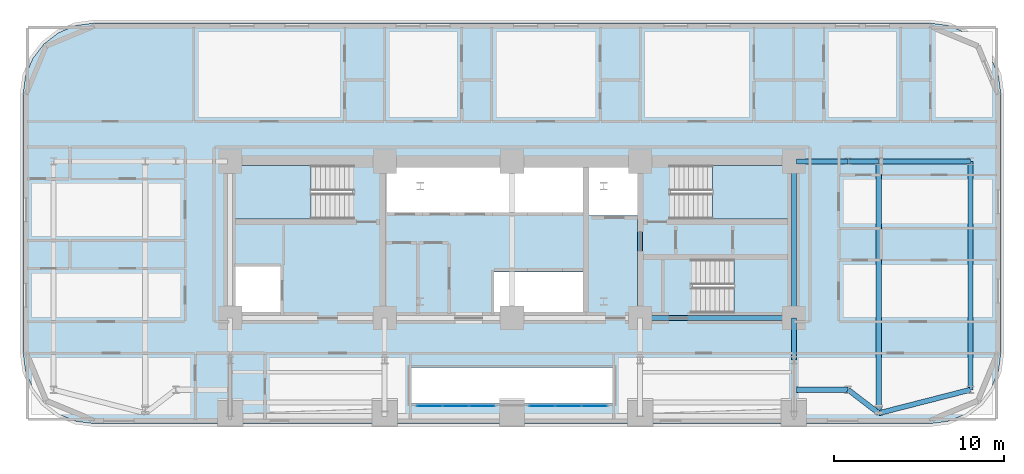
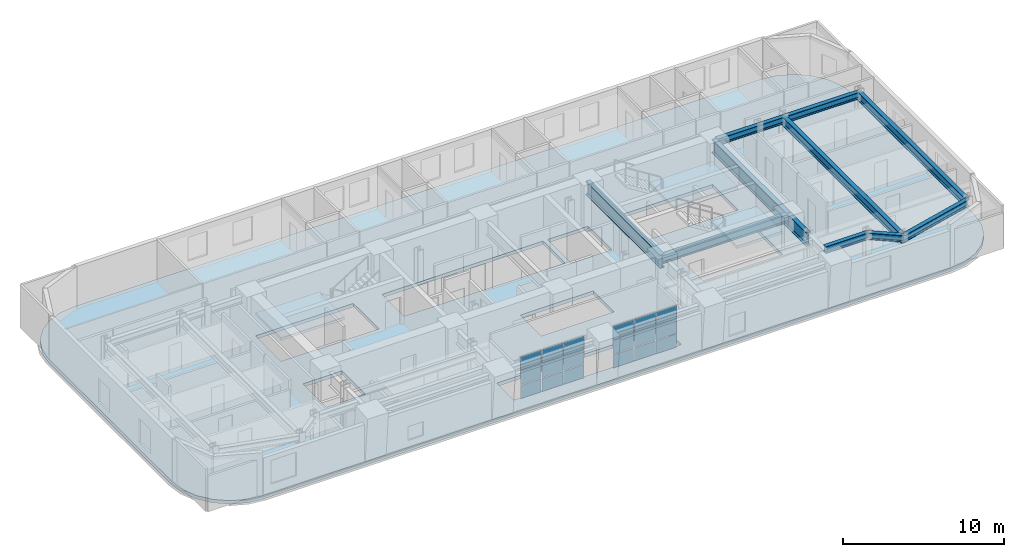
# One storey, part 5 of 15: 18 plates, 12 beams, 4 slabs, 5 elements without a shape of their own.
"""IFC4 building model written with IfcOpenShell, lengths in metres."""

from ifc_helpers import new_model, si_unit, direction, frame, origin, origin_2d, place, context, subcontext, project, spatial, polyline, rectangle, i_section, outline, extrude, material, layer, layer_set, material_profile, profile_set, type_object, element, aggregate, save


model = new_model("IFC4")

# Units and contexts
model_context = context("Model", 3, precision=1e-05, world=origin(), true_north=direction((0.0, 1.0)))
body_context = subcontext(model_context, "Body", "Model", "MODEL_VIEW")
ifc_project = project(units=[si_unit("LENGTHUNIT", "METRE"), si_unit("AREAUNIT", "SQUARE_METRE"), si_unit("VOLUMEUNIT", "CUBIC_METRE"), si_unit("PLANEANGLEUNIT", "RADIAN"), si_unit("MASSUNIT", "GRAM", prefix="KILO")], contexts=[model_context])

# Site, building, storey
site_placement = place(None, origin())
site = spatial("IfcSite", under=ifc_project, at=site_placement, CompositionType="ELEMENT")
building_placement = place(site_placement, origin())
building = spatial("IfcBuilding", under=site, at=building_placement, Name="Zarnavel Station Tower", CompositionType="ELEMENT")
storey_placement = place(building_placement, frame((0.0, 0.0, 43.0)))
storey = spatial("IfcBuildingStorey", under=building, at=storey_placement, Name="L11", CompositionType="ELEMENT", Elevation=43.0)

# Beams
ifc_material_1 = material(Name="Steel S355J2", Category="steel")
ifc_material_profile_1 = material_profile(ifc_material_1, i_section(OverallWidth=0.300048828125, OverallDepth=0.5, WebThickness=0.014404296875, FlangeThickness=0.028076171875, FilletRadius=0.027099609375, at=origin_2d()), Name="HEB500")
ifc_profile_set_1 = profile_set([ifc_material_profile_1], Name="Steel S355J2")
beam_type_1 = type_object("IfcBeamType", Name="FG_HEB500", PredefinedType="USERDEFINED", material=ifc_profile_set_1)
for number, where, z_axis, x_axis, name in (
    (1, (45.544921875, 23.60009765625, 2.989990234375), (1.0, 0.0, 0.0), (0.0, 1.0, 0.0), "L11 East Wing South Tie 1"),
    (2, (45.544921875, 37.050048828125, 2.989990234375), (1.0, 0.0, 0.0), (0.0, 1.0, 0.0), "L11 East Wing North Tie 1"),
):
    element("IfcBeam", number, at=place(storey_placement, frame(where, z_axis=z_axis, x_axis=x_axis)), inside=storey, type_object=beam_type_1, Name=name, ObjectType="GIRDER", PredefinedType="USERDEFINED", context=body_context, shape_type="SweptSolid", body=[
        extrude(i_section(OverallWidth=0.300048828125, OverallDepth=0.5, WebThickness=0.014404296875, FlangeThickness=0.028076171875, FilletRadius=0.027099609375, at=origin_2d()), origin(), (0.0, 0.0, 1.0), 3.05517578125),
    ])
beam_1_placement = place(storey_placement, frame((48.60009765625, 23.60009765625, 2.989990234375), z_axis=(0.793183624055, -0.608982543699, 0.0), x_axis=(0.608982543699, 0.793183624055, 0.0)))
element("IfcBeam", 3, at=beam_1_placement, inside=storey, type_object=beam_type_1, Name="L11 East Wing South Tie 2", ObjectType="GIRDER", PredefinedType="USERDEFINED", context=body_context, shape_type="SweptSolid", body=[
    extrude(i_section(OverallWidth=0.300048828125, OverallDepth=0.5, WebThickness=0.014404296875, FlangeThickness=0.028076171875, FilletRadius=0.027099609375, at=origin_2d()), origin(), (0.0, 0.0, 1.0), 2.26904296875),
])
beam_2_placement = place(storey_placement, frame((48.60009765625, 37.050048828125, 2.989990234375), z_axis=(1.0, 0.0, 0.0), x_axis=(0.0, 1.0, 0.0)))
element("IfcBeam", 4, at=beam_2_placement, inside=storey, type_object=beam_type_1, Name="L11 East Wing North Tie 2", ObjectType="GIRDER", PredefinedType="USERDEFINED", context=body_context, shape_type="SweptSolid", body=[
    extrude(i_section(OverallWidth=0.300048828125, OverallDepth=0.5, WebThickness=0.014404296875, FlangeThickness=0.028076171875, FilletRadius=0.027099609375, at=origin_2d()), origin(), (0.0, 0.0, 1.0), 1.7998046875),
])
beam_3_placement = place(storey_placement, frame((50.39990234375, 22.21826171875, 2.989990234375), z_axis=(0.968785338216, 0.247901126376, 0.0), x_axis=(-0.247901126376, 0.968785338216, 0.0)))
element("IfcBeam", 5, at=beam_3_placement, inside=storey, type_object=beam_type_1, Name="L11 East Wing South Tie 3", ObjectType="GIRDER", PredefinedType="USERDEFINED", context=body_context, shape_type="SweptSolid", body=[
    extrude(i_section(OverallWidth=0.300048828125, OverallDepth=0.5, WebThickness=0.014404296875, FlangeThickness=0.028076171875, FilletRadius=0.027099609375, at=origin_2d()), origin(), (0.0, 0.0, 1.0), 5.57421875),
])
beam_4_placement = place(storey_placement, frame((50.39990234375, 37.050048828125, 2.989990234375), z_axis=(1.0, 0.0, 0.0), x_axis=(0.0, 1.0, 0.0)))
element("IfcBeam", 6, at=beam_4_placement, inside=storey, type_object=beam_type_1, Name="L11 East Wing North Tie 3", ObjectType="GIRDER", PredefinedType="USERDEFINED", context=body_context, shape_type="SweptSolid", body=[
    extrude(i_section(OverallWidth=0.300048828125, OverallDepth=0.5, WebThickness=0.014404296875, FlangeThickness=0.028076171875, FilletRadius=0.027099609375, at=origin_2d()), origin(), (0.0, 0.0, 1.0), 5.400146484375),
])
ifc_material_2 = material(Name="Steel S355J2", Category="steel")
ifc_material_profile_2 = material_profile(ifc_material_2, i_section(OverallWidth=0.300048828125, OverallDepth=0.60009765625, WebThickness=0.015380859375, FlangeThickness=0.030029296875, FilletRadius=0.027099609375, at=origin_2d()), Name="HEB600")
ifc_profile_set_2 = profile_set([ifc_material_profile_2], Name="Steel S355J2")
beam_type_2 = type_object("IfcBeamType", Name="FG_HEB600", PredefinedType="USERDEFINED", material=ifc_profile_set_2)
beam_5_placement = place(storey_placement, frame((36.35009765625, 27.820068359375, 2.93994140625), z_axis=(1.0, 0.0, 0.0), x_axis=(0.0, 1.0, 0.0)))
element("IfcBeam", 7, at=beam_5_placement, inside=storey, type_object=beam_type_2, Name="L11 Core Front Coupling Beam 4", ObjectType="GIRDER", PredefinedType="USERDEFINED", context=body_context, shape_type="SweptSolid", body=[
    extrude(i_section(OverallWidth=0.300048828125, OverallDepth=0.60009765625, WebThickness=0.015380859375, FlangeThickness=0.030029296875, FilletRadius=0.027099609375, at=origin_2d()), origin(), (0.0, 0.0, 1.0), 9.0498046875),
])
ifc_material_3 = material(Name="Steel S355J2", Category="steel")
ifc_material_profile_3 = material_profile(ifc_material_3, i_section(OverallWidth=0.300048828125, OverallDepth=0.64990234375, WebThickness=0.01611328125, FlangeThickness=0.031005859375, FilletRadius=0.027099609375, at=origin_2d()), Name="HEB650")
ifc_profile_set_3 = profile_set([ifc_material_profile_3], Name="Steel S355J2")
beam_type_3 = type_object("IfcBeamType", Name="FG_HEB650", PredefinedType="USERDEFINED", material=ifc_profile_set_3)
beam_6_placement = place(storey_placement, frame((50.39990234375, 22.21826171875, 2.9150390625), z_axis=(0.0, 1.0, 0.0), x_axis=(-1.0, 0.0, 0.0)))
element("IfcBeam", 8, at=beam_6_placement, inside=storey, type_object=beam_type_3, Name="L11 Wing NS Girder 3", ObjectType="GIRDER", PredefinedType="USERDEFINED", context=body_context, shape_type="SweptSolid", body=[
    extrude(i_section(OverallWidth=0.300048828125, OverallDepth=0.64990234375, WebThickness=0.01611328125, FlangeThickness=0.031005859375, FilletRadius=0.027099609375, at=origin_2d()), origin(), (0.0, 0.0, 1.0), 14.831787109375),
])
beam_7_placement = place(storey_placement, frame((55.800048828125, 23.60009765625, 2.9150390625), z_axis=(0.0, 1.0, 0.0), x_axis=(-1.0, 0.0, 0.0)))
element("IfcBeam", 9, at=beam_7_placement, inside=storey, type_object=beam_type_3, Name="L11 Wing NS Girder 4", ObjectType="GIRDER", PredefinedType="USERDEFINED", context=body_context, shape_type="SweptSolid", body=[
    extrude(i_section(OverallWidth=0.300048828125, OverallDepth=0.64990234375, WebThickness=0.01611328125, FlangeThickness=0.031005859375, FilletRadius=0.027099609375, at=origin_2d()), origin(), (0.0, 0.0, 1.0), 13.449951171875),
])
ifc_material_4 = material(Name="Steel S460M", Category="steel")
ifc_material_profile_4 = material_profile(ifc_material_4, i_section(OverallWidth=0.302001953125, OverallDepth=1.008056640625, WebThickness=0.02099609375, FlangeThickness=0.0400390625, FilletRadius=0.030029296875, at=origin_2d()), Name="HEM1000")
ifc_profile_set_4 = profile_set([ifc_material_profile_4], Name="Steel S460M")
beam_type_4 = type_object("IfcBeamType", Name="TG_HEM1000", PredefinedType="USERDEFINED", material=ifc_profile_set_4)
for number, where, z_axis, x_axis, name in (
    (10, (36.35009765625, 27.820068359375, 2.736083984375), (0.0, 1.0, 0.0), (-1.0, 0.0, 0.0), "L11 Core Spine Coupling Girder 4"),
    (11, (45.39990234375, 27.820068359375, 2.736083984375), (0.0, 1.0, 0.0), (-1.0, 0.0, 0.0), "L11 Core Spine Coupling Girder 5"),
):
    element("IfcBeam", number, at=place(storey_placement, frame(where, z_axis=z_axis, x_axis=x_axis)), inside=storey, type_object=beam_type_4, Name=name, ObjectType="GIRDER", PredefinedType="USERDEFINED", context=body_context, shape_type="SweptSolid", body=[
        extrude(i_section(OverallWidth=0.302001953125, OverallDepth=1.008056640625, WebThickness=0.02099609375, FlangeThickness=0.0400390625, FilletRadius=0.030029296875, at=origin_2d()), origin(), (0.0, 0.0, 1.0), 9.22998046875),
    ])
beam_8_placement = place(storey_placement, frame((45.39990234375, 25.35009765625, 2.736083984375), z_axis=(0.0, 1.0, 0.0), x_axis=(-1.0, 0.0, 0.0)))
element("IfcBeam", 12, at=beam_8_placement, inside=storey, type_object=beam_type_4, Name="L11 Inner-Zone NS Girder 5", ObjectType="GIRDER", PredefinedType="USERDEFINED", context=body_context, shape_type="SweptSolid", body=[
    extrude(i_section(OverallWidth=0.302001953125, OverallDepth=1.008056640625, WebThickness=0.02099609375, FlangeThickness=0.0400390625, FilletRadius=0.030029296875, at=origin_2d()), origin(), (0.0, 0.0, 1.0), 2.469970703125),
])

# Curtain wall, plates
ifc_material_5 = material(Name="Aluminium Dark Anodised and Solar-Control Glass", Category="aluminium")
ifc_layer_1 = layer(ifc_material_5, 0.179931640625)
ifc_layer_set_1 = layer_set([ifc_layer_1], Name="CWS2")
curtain_wall_type = type_object("IfcCurtainWallType", Name="CWS2", PredefinedType="NOTDEFINED", material=ifc_layer_set_1)
curtain_wall_1_placement = place(storey_placement, origin())
curtain_wall_1 = element("IfcCurtainWall", 13, at=curtain_wall_1_placement, inside=storey, type_object=curtain_wall_type, Name="L11 Curtain Wall CWS2-L11-AS-S1", PredefinedType="NOTDEFINED")
ifc_material_6 = material(Name="Double Low-E Dark Solar-Control Glass", Category="glass")
ifc_layer_2 = layer(ifc_material_6, 0.028076171875)
ifc_layer_set_2 = layer_set([ifc_layer_2], Name="CWS2_PNL")
plate_type = type_object("IfcPlateType", Name="CWS2_PNL", PredefinedType="CURTAIN_PANEL", material=ifc_layer_set_2)
plate_1_placement = place(storey_placement, frame((23.943359375, 22.64990234375, 0.06005859375), z_axis=(0.0, 0.0, 1.0), x_axis=(1.0, 0.0, 0.0)))
plate_1 = element("IfcPlate", 14, at=plate_1_placement, type_object=plate_type, Name="CW2 panel 1.1", PredefinedType="CURTAIN_PANEL", context=body_context, shape_type="SweptSolid", body=[
    extrude(rectangle(XDim=1.466552734375, YDim=0.028076171875, at=origin_2d()), origin(), (0.0, 0.0, 1.0), 0.989990234375),
])
plate_2_placement = place(storey_placement, frame((23.943359375, 22.64990234375, 1.110107421875), z_axis=(0.0, 0.0, 1.0), x_axis=(1.0, 0.0, 0.0)))
plate_2 = element("IfcPlate", 15, at=plate_2_placement, type_object=plate_type, Name="CW2 panel 1.2", PredefinedType="CURTAIN_PANEL", context=body_context, shape_type="SweptSolid", body=[
    extrude(rectangle(XDim=1.466552734375, YDim=0.028076171875, at=origin_2d()), origin(), (0.0, 0.0, 1.0), 1.02001953125),
])
plate_3_placement = place(storey_placement, frame((23.943359375, 22.64990234375, 2.18994140625), z_axis=(0.0, 0.0, 1.0), x_axis=(1.0, 0.0, 0.0)))
plate_3 = element("IfcPlate", 16, at=plate_3_placement, type_object=plate_type, Name="CW2 panel 1.3", PredefinedType="CURTAIN_PANEL", context=body_context, shape_type="SweptSolid", body=[
    extrude(rectangle(XDim=1.466552734375, YDim=0.028076171875, at=origin_2d()), origin(), (0.0, 0.0, 1.0), 0.989990234375),
])
plate_4_placement = place(storey_placement, frame((25.485107421875, 22.64990234375, 0.06005859375), z_axis=(0.0, 0.0, 1.0), x_axis=(1.0, 0.0, 0.0)))
plate_4 = element("IfcPlate", 17, at=plate_4_placement, type_object=plate_type, Name="CW2 panel 2.1", PredefinedType="CURTAIN_PANEL", context=body_context, shape_type="SweptSolid", body=[
    extrude(rectangle(XDim=1.49658203125, YDim=0.028076171875, at=origin_2d()), origin(), (0.0, 0.0, 1.0), 0.989990234375),
])
plate_5_placement = place(storey_placement, frame((25.485107421875, 22.64990234375, 1.110107421875), z_axis=(0.0, 0.0, 1.0), x_axis=(1.0, 0.0, 0.0)))
plate_5 = element("IfcPlate", 18, at=plate_5_placement, type_object=plate_type, Name="CW2 panel 2.2", PredefinedType="CURTAIN_PANEL", context=body_context, shape_type="SweptSolid", body=[
    extrude(rectangle(XDim=1.49658203125, YDim=0.028076171875, at=origin_2d()), origin(), (0.0, 0.0, 1.0), 1.02001953125),
])
plate_6_placement = place(storey_placement, frame((25.485107421875, 22.64990234375, 2.18994140625), z_axis=(0.0, 0.0, 1.0), x_axis=(1.0, 0.0, 0.0)))
plate_6 = element("IfcPlate", 19, at=plate_6_placement, type_object=plate_type, Name="CW2 panel 2.3", PredefinedType="CURTAIN_PANEL", context=body_context, shape_type="SweptSolid", body=[
    extrude(rectangle(XDim=1.49658203125, YDim=0.028076171875, at=origin_2d()), origin(), (0.0, 0.0, 1.0), 0.989990234375),
])
plate_7_placement = place(storey_placement, frame((27.026611328125, 22.64990234375, 0.06005859375), z_axis=(0.0, 0.0, 1.0), x_axis=(1.0, 0.0, 0.0)))
plate_7 = element("IfcPlate", 20, at=plate_7_placement, type_object=plate_type, Name="CW2 panel 3.1", PredefinedType="CURTAIN_PANEL", context=body_context, shape_type="SweptSolid", body=[
    extrude(rectangle(XDim=1.466552734375, YDim=0.028076171875, at=origin_2d()), origin(), (0.0, 0.0, 1.0), 0.989990234375),
])
plate_8_placement = place(storey_placement, frame((27.026611328125, 22.64990234375, 1.110107421875), z_axis=(0.0, 0.0, 1.0), x_axis=(1.0, 0.0, 0.0)))
plate_8 = element("IfcPlate", 21, at=plate_8_placement, type_object=plate_type, Name="CW2 panel 3.2", PredefinedType="CURTAIN_PANEL", context=body_context, shape_type="SweptSolid", body=[
    extrude(rectangle(XDim=1.466552734375, YDim=0.028076171875, at=origin_2d()), origin(), (0.0, 0.0, 1.0), 1.02001953125),
])
plate_9_placement = place(storey_placement, frame((27.026611328125, 22.64990234375, 2.18994140625), z_axis=(0.0, 0.0, 1.0), x_axis=(1.0, 0.0, 0.0)))
plate_9 = element("IfcPlate", 22, at=plate_9_placement, type_object=plate_type, Name="CW2 panel 3.3", PredefinedType="CURTAIN_PANEL", context=body_context, shape_type="SweptSolid", body=[
    extrude(rectangle(XDim=1.466552734375, YDim=0.028076171875, at=origin_2d()), origin(), (0.0, 0.0, 1.0), 0.989990234375),
])
aggregate(curtain_wall_1, [plate_1, plate_2, plate_3, plate_4, plate_5, plate_6, plate_7, plate_8, plate_9])

curtain_wall_2_placement = place(storey_placement, origin())
curtain_wall_2 = element("IfcCurtainWall", 23, at=curtain_wall_2_placement, inside=storey, type_object=curtain_wall_type, Name="L11 Curtain Wall CWS2-L11-AS-S2", PredefinedType="NOTDEFINED")
plate_10_placement = place(storey_placement, frame((30.5732421875, 22.64990234375, 0.06005859375), z_axis=(0.0, 0.0, 1.0), x_axis=(1.0, 0.0, 0.0)))
plate_10 = element("IfcPlate", 24, at=plate_10_placement, type_object=plate_type, Name="CW2 panel 1.1", PredefinedType="CURTAIN_PANEL", context=body_context, shape_type="SweptSolid", body=[
    extrude(rectangle(XDim=1.466552734375, YDim=0.028076171875, at=origin_2d()), origin(), (0.0, 0.0, 1.0), 0.989990234375),
])
plate_11_placement = place(storey_placement, frame((30.5732421875, 22.64990234375, 1.110107421875), z_axis=(0.0, 0.0, 1.0), x_axis=(1.0, 0.0, 0.0)))
plate_11 = element("IfcPlate", 25, at=plate_11_placement, type_object=plate_type, Name="CW2 panel 1.2", PredefinedType="CURTAIN_PANEL", context=body_context, shape_type="SweptSolid", body=[
    extrude(rectangle(XDim=1.466552734375, YDim=0.028076171875, at=origin_2d()), origin(), (0.0, 0.0, 1.0), 1.02001953125),
])
plate_12_placement = place(storey_placement, frame((30.5732421875, 22.64990234375, 2.18994140625), z_axis=(0.0, 0.0, 1.0), x_axis=(1.0, 0.0, 0.0)))
plate_12 = element("IfcPlate", 26, at=plate_12_placement, type_object=plate_type, Name="CW2 panel 1.3", PredefinedType="CURTAIN_PANEL", context=body_context, shape_type="SweptSolid", body=[
    extrude(rectangle(XDim=1.466552734375, YDim=0.028076171875, at=origin_2d()), origin(), (0.0, 0.0, 1.0), 0.989990234375),
])
plate_13_placement = place(storey_placement, frame((32.114990234375, 22.64990234375, 0.06005859375), z_axis=(0.0, 0.0, 1.0), x_axis=(1.0, 0.0, 0.0)))
plate_13 = element("IfcPlate", 27, at=plate_13_placement, type_object=plate_type, Name="CW2 panel 2.1", PredefinedType="CURTAIN_PANEL", context=body_context, shape_type="SweptSolid", body=[
    extrude(rectangle(XDim=1.49658203125, YDim=0.028076171875, at=origin_2d()), origin(), (0.0, 0.0, 1.0), 0.989990234375),
])
plate_14_placement = place(storey_placement, frame((32.114990234375, 22.64990234375, 1.110107421875), z_axis=(0.0, 0.0, 1.0), x_axis=(1.0, 0.0, 0.0)))
plate_14 = element("IfcPlate", 28, at=plate_14_placement, type_object=plate_type, Name="CW2 panel 2.2", PredefinedType="CURTAIN_PANEL", context=body_context, shape_type="SweptSolid", body=[
    extrude(rectangle(XDim=1.49658203125, YDim=0.028076171875, at=origin_2d()), origin(), (0.0, 0.0, 1.0), 1.02001953125),
])
plate_15_placement = place(storey_placement, frame((32.114990234375, 22.64990234375, 2.18994140625), z_axis=(0.0, 0.0, 1.0), x_axis=(1.0, 0.0, 0.0)))
plate_15 = element("IfcPlate", 29, at=plate_15_placement, type_object=plate_type, Name="CW2 panel 2.3", PredefinedType="CURTAIN_PANEL", context=body_context, shape_type="SweptSolid", body=[
    extrude(rectangle(XDim=1.49658203125, YDim=0.028076171875, at=origin_2d()), origin(), (0.0, 0.0, 1.0), 0.989990234375),
])
plate_16_placement = place(storey_placement, frame((33.65673828125, 22.64990234375, 0.06005859375), z_axis=(0.0, 0.0, 1.0), x_axis=(1.0, 0.0, 0.0)))
plate_16 = element("IfcPlate", 30, at=plate_16_placement, type_object=plate_type, Name="CW2 panel 3.1", PredefinedType="CURTAIN_PANEL", context=body_context, shape_type="SweptSolid", body=[
    extrude(rectangle(XDim=1.466552734375, YDim=0.028076171875, at=origin_2d()), origin(), (0.0, 0.0, 1.0), 0.989990234375),
])
plate_17_placement = place(storey_placement, frame((33.65673828125, 22.64990234375, 1.110107421875), z_axis=(0.0, 0.0, 1.0), x_axis=(1.0, 0.0, 0.0)))
plate_17 = element("IfcPlate", 31, at=plate_17_placement, type_object=plate_type, Name="CW2 panel 3.2", PredefinedType="CURTAIN_PANEL", context=body_context, shape_type="SweptSolid", body=[
    extrude(rectangle(XDim=1.466552734375, YDim=0.028076171875, at=origin_2d()), origin(), (0.0, 0.0, 1.0), 1.02001953125),
])
plate_18_placement = place(storey_placement, frame((33.65673828125, 22.64990234375, 2.18994140625), z_axis=(0.0, 0.0, 1.0), x_axis=(1.0, 0.0, 0.0)))
plate_18 = element("IfcPlate", 32, at=plate_18_placement, type_object=plate_type, Name="CW2 panel 3.3", PredefinedType="CURTAIN_PANEL", context=body_context, shape_type="SweptSolid", body=[
    extrude(rectangle(XDim=1.466552734375, YDim=0.028076171875, at=origin_2d()), origin(), (0.0, 0.0, 1.0), 0.989990234375),
])
aggregate(curtain_wall_2, [plate_10, plate_11, plate_12, plate_13, plate_14, plate_15, plate_16, plate_17, plate_18])

# Slab
ifc_material_7 = material(Name="Concrete C45/55", Category="concrete")
ifc_layer_3 = layer(ifc_material_7, 0.260009765625)
ifc_layer_set_3 = layer_set([ifc_layer_3], Name="SL_FLR_260")
slab_type_1 = type_object("IfcSlabType", Name="SL_FLR_260", PredefinedType="FLOOR", material=ifc_layer_set_3)
slab_1_placement = place(storey_placement, frame((0.0, 0.0, -0.260009765625)))
element("IfcSlab", 33, at=slab_1_placement, inside=storey, type_object=slab_type_1, Name="L11 Structural Floor Slab", PredefinedType="FLOOR", context=body_context, shape_type="SweptSolid", body=[
    extrude(outline(polyline([(53.39990234375, 21.60009765625), (54.487060546875, 21.7431640625), (55.5, 22.16259765625), (56.369873046875, 22.830078125), (57.037353515625, 23.699951171875), (57.456787109375, 24.712890625), (57.60009765625, 25.800048828125), (57.60009765625, 41.0), (57.456787109375, 42.0869140625), (57.037353515625, 43.10009765625), (56.369873046875, 43.9697265625), (55.5, 44.63720703125), (54.487060546875, 45.056884765625), (53.39990234375, 45.199951171875), (4.199951171875, 45.199951171875), (3.113037109375, 45.056884765625), (2.10009765625, 44.63720703125), (1.230224609375, 43.9697265625), (0.562744140625, 43.10009765625), (0.14306640625, 42.0869140625), (0.0, 41.0), (0.0, 25.800048828125), (0.14306640625, 24.712890625), (0.562744140625, 23.699951171875), (1.230224609375, 22.830078125), (2.10009765625, 22.16259765625), (3.113037109375, 21.7431640625), (4.199951171875, 21.60009765625), (53.39990234375, 21.60009765625)]), holes=[polyline([(12.39990234375, 33.659912109375), (19.409912109375, 33.659912109375), (19.409912109375, 36.820068359375), (12.39990234375, 36.820068359375), (12.39990234375, 33.659912109375)]), polyline([(38.14990234375, 33.659912109375), (45.159912109375, 33.659912109375), (45.159912109375, 36.820068359375), (38.14990234375, 36.820068359375), (38.14990234375, 33.659912109375)]), polyline([(39.419921875, 28.1201171875), (45.14990234375, 28.1201171875), (45.14990234375, 31.280029296875), (39.419921875, 31.280029296875), (39.419921875, 28.1201171875)]), polyline([(12.35009765625, 27.949951171875), (15.14990234375, 27.949951171875), (15.14990234375, 30.85009765625), (12.35009765625, 30.85009765625), (12.35009765625, 27.949951171875)]), polyline([(33.320068359375, 33.85009765625), (36.2099609375, 33.85009765625), (36.2099609375, 36.780029296875), (33.320068359375, 36.780029296875), (33.320068359375, 33.85009765625)]), polyline([(21.449951171875, 34.050048828125), (32.97998046875, 34.050048828125), (32.97998046875, 36.780029296875), (21.449951171875, 36.780029296875), (21.449951171875, 34.050048828125)]), polyline([(27.75, 27.949951171875), (32.97998046875, 27.949951171875), (32.97998046875, 30.550048828125), (27.75, 30.550048828125), (27.75, 27.949951171875)]), polyline([(22.800048828125, 22.800048828125), (34.800048828125, 22.800048828125), (34.800048828125, 24.89990234375), (22.800048828125, 24.89990234375), (22.800048828125, 22.800048828125)])]), origin(), (0.0, 0.0, 1.0), 0.260009765625),
])

# Stair, slab
ifc_material_8 = material(Name="Concrete C45/55", Category="concrete")
stair_type = type_object("IfcStairType", Name="ST_CORE_150", PredefinedType="HALF_TURN_STAIR", material=ifc_material_8)
stair_1_placement = place(storey_placement, origin())
stair_1 = element("IfcStair", 34, at=stair_1_placement, inside=storey, type_object=stair_type, Name="L11 Core Exit Stair ST1", PredefinedType="HALF_TURN_STAIR")
ifc_material_9 = material(Name="Concrete C45/55", Category="concrete")
ifc_layer_4 = layer(ifc_material_9, 0.199951171875)
ifc_layer_set_4 = layer_set([ifc_layer_4], Name="SL_STAIR_LAND_200")
slab_type_2 = type_object("IfcSlabType", Name="SL_STAIR_LAND_200", PredefinedType="LANDING", material=ifc_layer_set_4)
slab_2_placement = place(storey_placement, frame((0.0, 0.0, 1.550048828125)))
slab_2 = element("IfcSlab", 35, at=slab_2_placement, type_object=slab_type_2, Name="ST1 landing 1", PredefinedType="LANDING", context=body_context, shape_type="SweptSolid", body=[
    extrude(outline(polyline([(16.9599609375, 36.820068359375), (12.39990234375, 36.820068359375), (12.39990234375, 33.659912109375), (16.9599609375, 33.659912109375), (16.9599609375, 36.820068359375)])), origin(), (0.0, 0.0, 1.0), 0.199951171875),
])
aggregate(stair_1, [slab_2])

stair_2_placement = place(storey_placement, origin())
stair_2 = element("IfcStair", 36, at=stair_2_placement, inside=storey, type_object=stair_type, Name="L11 Core Exit Stair ST2", PredefinedType="HALF_TURN_STAIR")
slab_3_placement = place(storey_placement, frame((0.0, 0.0, 1.550048828125)))
slab_3 = element("IfcSlab", 37, at=slab_3_placement, type_object=slab_type_2, Name="ST2 landing 1", PredefinedType="LANDING", context=body_context, shape_type="SweptSolid", body=[
    extrude(outline(polyline([(40.60009765625, 33.659912109375), (45.159912109375, 33.659912109375), (45.159912109375, 36.820068359375), (40.60009765625, 36.820068359375), (40.60009765625, 33.659912109375)])), origin(), (0.0, 0.0, 1.0), 0.199951171875),
])
aggregate(stair_2, [slab_3])

stair_3_placement = place(storey_placement, origin())
stair_3 = element("IfcStair", 38, at=stair_3_placement, inside=storey, type_object=stair_type, Name="L11 Core Exit Stair ST3", PredefinedType="HALF_TURN_STAIR")
slab_4_placement = place(storey_placement, frame((0.0, 0.0, 1.550048828125)))
slab_4 = element("IfcSlab", 39, at=slab_4_placement, type_object=slab_type_2, Name="ST3 landing 1", PredefinedType="LANDING", context=body_context, shape_type="SweptSolid", body=[
    extrude(outline(polyline([(41.8701171875, 28.1201171875), (45.14990234375, 28.1201171875), (45.14990234375, 31.280029296875), (41.8701171875, 31.280029296875), (41.8701171875, 28.1201171875)])), origin(), (0.0, 0.0, 1.0), 0.199951171875),
])
aggregate(stair_3, [slab_4])

save(model, "model.ifc")
